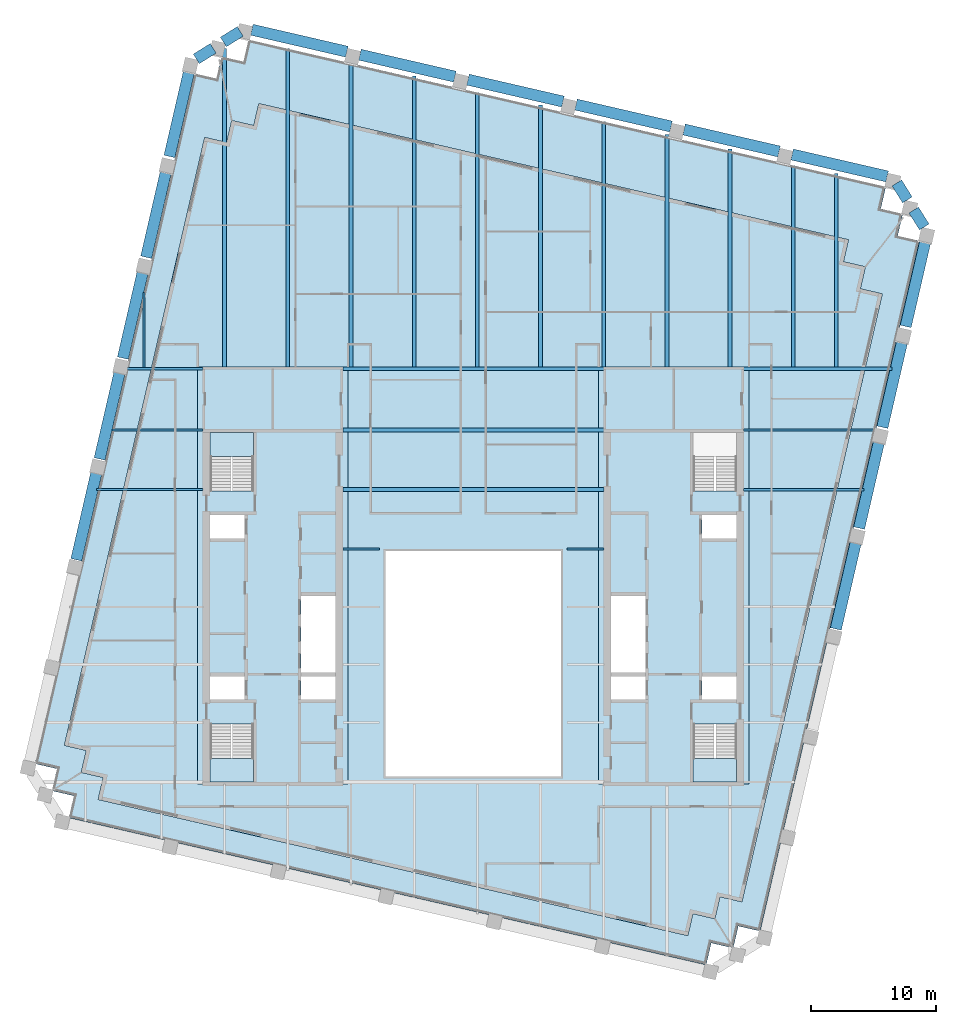
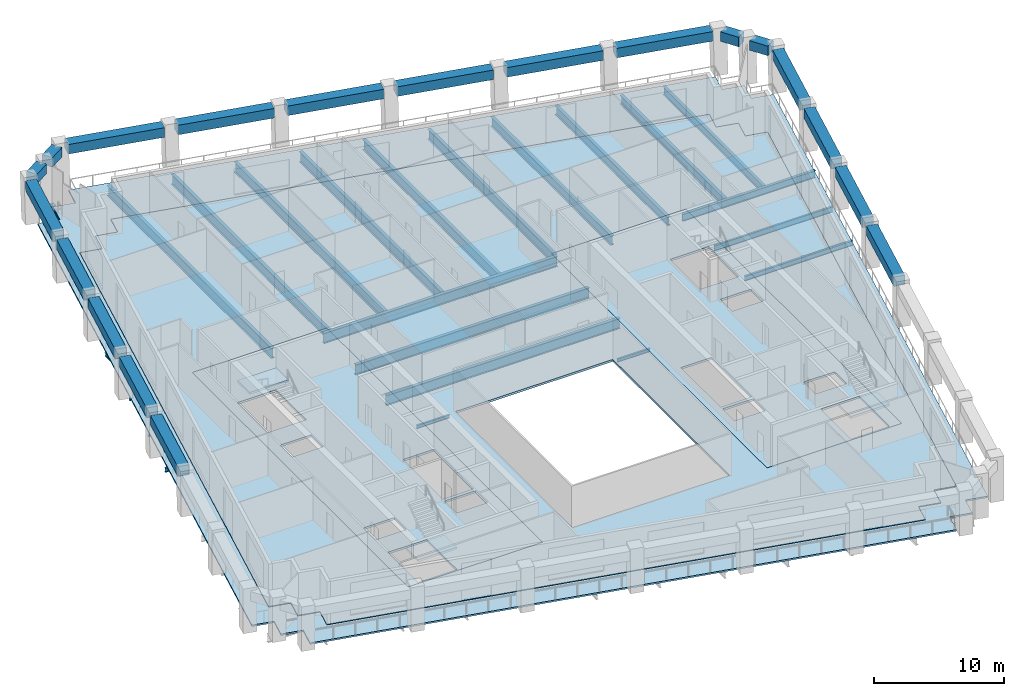
# One storey, part 2 of 10: 42 beams, 7 slabs, 3 elements without a shape of their own.
"""IFC4 building model written with IfcOpenShell, lengths in metres."""

from ifc_helpers import new_model, si_unit, direction, frame, origin, origin_2d, place, context, subcontext, project, spatial, polyline, rectangle, i_section, outline, extrude, material, layer, layer_set, material_profile, profile_set, type_object, element, aggregate, save


model = new_model("IFC4")

# Units and contexts
model_context = context("Model", 3, precision=1e-05, world=origin(), true_north=direction((0.0, 1.0)))
body_context = subcontext(model_context, "Body", "Model", "MODEL_VIEW")
ifc_project = project(units=[si_unit("LENGTHUNIT", "METRE"), si_unit("AREAUNIT", "SQUARE_METRE"), si_unit("VOLUMEUNIT", "CUBIC_METRE"), si_unit("PLANEANGLEUNIT", "RADIAN"), si_unit("MASSUNIT", "GRAM", prefix="KILO")], contexts=[model_context])

# Site, building, storey
site_placement = place(None, origin())
site = spatial("IfcSite", under=ifc_project, at=site_placement, CompositionType="ELEMENT")
building_placement = place(site_placement, origin())
building = spatial("IfcBuilding", under=site, at=building_placement, Name="Ogive Exchange Tower", CompositionType="ELEMENT")
storey_placement = place(building_placement, frame((0.0, 0.0, 268.199951171875)))
storey = spatial("IfcBuildingStorey", under=building, at=storey_placement, Name="L58", CompositionType="ELEMENT", Elevation=268.199951171875)

# Beams
ifc_material_1 = material(Name="Steel ASTM A992 Gr50", Category="steel")
ifc_material_profile_1 = material_profile(ifc_material_1, i_section(OverallWidth=0.300048828125, OverallDepth=0.969970703125, WebThickness=0.01611328125, FlangeThickness=0.02099609375, at=origin_2d()), Name="W1000x222")
ifc_profile_set_1 = profile_set([ifc_material_profile_1], Name="Steel ASTM A992 Gr50")
beam_type_1 = type_object("IfcBeamType", Name="Floor beam W1000x222", PredefinedType="JOIST", material=ifc_profile_set_1)
beam_1_placement = place(storey_placement, frame((10.404052734375, 30.695068359375, -0.68505859375), z_axis=(0.0, 1.0, 0.0), x_axis=(-1.0, 0.0, 0.0)))
element("IfcBeam", 1, at=beam_1_placement, inside=storey, type_object=beam_type_1, Name="Floor beam", PredefinedType="JOIST", context=body_context, shape_type="SweptSolid", body=[
    extrude(i_section(OverallWidth=0.300048828125, OverallDepth=0.969970703125, WebThickness=0.01611328125, FlangeThickness=0.02099609375, at=origin_2d()), origin(), (0.0, 0.0, 1.0), 19.56494140625),
])
ifc_material_profile_2 = material_profile(ifc_material_1, i_section(OverallWidth=0.300048828125, OverallDepth=0.97998046875, WebThickness=0.0166015625, FlangeThickness=0.026123046875, at=origin_2d()), Name="W1000x249")
ifc_profile_set_2 = profile_set([ifc_material_profile_2], Name="Steel ASTM A992 Gr50")
beam_type_2 = type_object("IfcBeamType", Name="Floor beam W1000x249", PredefinedType="JOIST", material=ifc_profile_set_2)
for number, where, z_axis, x_axis, name in (
    (2, (-10.419921875, 20.89990234375, -0.68994140625), (1.0, 0.0, 0.0), (0.0, 1.0, 0.0), "Floor beam"),
    (3, (-10.419921875, 25.64501953125, -0.68994140625), (1.0, 0.0, 0.0), (0.0, 1.0, 0.0), "Floor beam"),
):
    element("IfcBeam", number, at=place(storey_placement, frame(where, z_axis=z_axis, x_axis=x_axis)), inside=storey, type_object=beam_type_2, Name=name, PredefinedType="JOIST", context=body_context, shape_type="SweptSolid", body=[
        extrude(i_section(OverallWidth=0.300048828125, OverallDepth=0.97998046875, WebThickness=0.0166015625, FlangeThickness=0.026123046875, at=origin_2d()), origin(), (0.0, 0.0, 1.0), 20.83984375),
    ])
beam_2_placement = place(storey_placement, frame((-19.85107421875, 30.699951171875, -0.68994140625), z_axis=(0.0, 1.0, 0.0), x_axis=(-1.0, 0.0, 0.0)))
element("IfcBeam", 4, at=beam_2_placement, inside=storey, type_object=beam_type_2, Name="Floor beam", PredefinedType="JOIST", context=body_context, shape_type="SweptSolid", body=[
    extrude(i_section(OverallWidth=0.300048828125, OverallDepth=0.97998046875, WebThickness=0.0166015625, FlangeThickness=0.026123046875, at=origin_2d()), origin(), (0.0, 0.0, 1.0), 25.40576171875),
])
beam_3_placement = place(storey_placement, frame((-14.80859375, 30.699951171875, -0.68994140625), z_axis=(0.0, 1.0, 0.0), x_axis=(-1.0, 0.0, 0.0)))
element("IfcBeam", 5, at=beam_3_placement, inside=storey, type_object=beam_type_2, Name="Floor beam", PredefinedType="JOIST", context=body_context, shape_type="SweptSolid", body=[
    extrude(i_section(OverallWidth=0.300048828125, OverallDepth=0.97998046875, WebThickness=0.0166015625, FlangeThickness=0.026123046875, at=origin_2d()), origin(), (0.0, 0.0, 1.0), 25.380859375),
])
beam_4_placement = place(storey_placement, frame((-9.76611328125, 30.695068359375, -0.68994140625), z_axis=(0.0, 1.0, 0.0), x_axis=(-1.0, 0.0, 0.0)))
element("IfcBeam", 6, at=beam_4_placement, inside=storey, type_object=beam_type_2, Name="Floor beam", PredefinedType="JOIST", context=body_context, shape_type="SweptSolid", body=[
    extrude(i_section(OverallWidth=0.300048828125, OverallDepth=0.97998046875, WebThickness=0.0166015625, FlangeThickness=0.026123046875, at=origin_2d()), origin(), (0.0, 0.0, 1.0), 24.221435546875),
])
beam_5_placement = place(storey_placement, frame((-4.723388671875, 30.695068359375, -0.68994140625), z_axis=(0.0, 1.0, 0.0), x_axis=(-1.0, 0.0, 0.0)))
element("IfcBeam", 7, at=beam_5_placement, inside=storey, type_object=beam_type_2, Name="Floor beam", PredefinedType="JOIST", context=body_context, shape_type="SweptSolid", body=[
    extrude(i_section(OverallWidth=0.300048828125, OverallDepth=0.97998046875, WebThickness=0.0166015625, FlangeThickness=0.026123046875, at=origin_2d()), origin(), (0.0, 0.0, 1.0), 23.207275390625),
])
beam_6_placement = place(storey_placement, frame((0.319091796875, 30.695068359375, -0.68994140625), z_axis=(0.0, 1.0, 0.0), x_axis=(-1.0, 0.0, 0.0)))
element("IfcBeam", 8, at=beam_6_placement, inside=storey, type_object=beam_type_2, Name="Floor beam", PredefinedType="JOIST", context=body_context, shape_type="SweptSolid", body=[
    extrude(i_section(OverallWidth=0.300048828125, OverallDepth=0.97998046875, WebThickness=0.0166015625, FlangeThickness=0.026123046875, at=origin_2d()), origin(), (0.0, 0.0, 1.0), 21.893310546875),
])
beam_7_placement = place(storey_placement, frame((5.361572265625, 30.695068359375, -0.68994140625), z_axis=(0.0, 1.0, 0.0), x_axis=(-1.0, 0.0, 0.0)))
element("IfcBeam", 9, at=beam_7_placement, inside=storey, type_object=beam_type_2, Name="Floor beam", PredefinedType="JOIST", context=body_context, shape_type="SweptSolid", body=[
    extrude(i_section(OverallWidth=0.300048828125, OverallDepth=0.97998046875, WebThickness=0.0166015625, FlangeThickness=0.026123046875, at=origin_2d()), origin(), (0.0, 0.0, 1.0), 20.879150390625),
])
ifc_material_profile_3 = material_profile(ifc_material_1, i_section(OverallWidth=0.1650390625, OverallDepth=0.31005859375, WebThickness=0.005859375, FlangeThickness=0.009765625, at=origin_2d()), Name="W310x38.7")
ifc_profile_set_3 = profile_set([ifc_material_profile_3], Name="Steel ASTM A992 Gr50")
beam_type_3 = type_object("IfcBeamType", Name="Floor beam W310x38.7", PredefinedType="JOIST", material=ifc_profile_set_3)
beam_8_placement = place(storey_placement, frame((-26.293701171875, 30.630615234375, -0.35498046875), z_axis=(0.0, 1.0, 0.0), x_axis=(-1.0, 0.0, 0.0)))
element("IfcBeam", 10, at=beam_8_placement, inside=storey, type_object=beam_type_3, Name="Floor beam", PredefinedType="JOIST", context=body_context, shape_type="SweptSolid", body=[
    extrude(i_section(OverallWidth=0.1650390625, OverallDepth=0.31005859375, WebThickness=0.005859375, FlangeThickness=0.009765625, at=origin_2d()), origin(), (0.0, 0.0, 1.0), 6.007568359375),
])
ifc_material_profile_4 = material_profile(ifc_material_1, i_section(OverallWidth=0.1708984375, OverallDepth=0.35595703125, WebThickness=0.00732421875, FlangeThickness=0.01171875, at=origin_2d()), Name="W360x51")
ifc_profile_set_4 = profile_set([ifc_material_profile_4], Name="Steel ASTM A992 Gr50")
beam_type_4 = type_object("IfcBeamType", Name="Floor beam W360x51", PredefinedType="JOIST", material=ifc_profile_set_4)
beam_9_placement = place(storey_placement, frame((-28.831787109375, 25.64501953125, -0.3779296875), z_axis=(1.0, 0.0, 0.0), x_axis=(0.0, 1.0, 0.0)))
element("IfcBeam", 11, at=beam_9_placement, inside=storey, type_object=beam_type_4, Name="Floor beam", PredefinedType="JOIST", context=body_context, shape_type="SweptSolid", body=[
    extrude(i_section(OverallWidth=0.1708984375, OverallDepth=0.35595703125, WebThickness=0.00732421875, FlangeThickness=0.01171875, at=origin_2d()), origin(), (0.0, 0.0, 1.0), 7.251708984375),
])
ifc_material_profile_5 = material_profile(ifc_material_1, i_section(OverallWidth=0.177978515625, OverallDepth=0.406005859375, WebThickness=0.0078125, FlangeThickness=0.0126953125, at=origin_2d()), Name="W410x60")
ifc_profile_set_5 = profile_set([ifc_material_profile_5], Name="Steel ASTM A992 Gr50")
beam_type_5 = type_object("IfcBeamType", Name="Floor beam W410x60", PredefinedType="JOIST", material=ifc_profile_set_5)
beam_10_placement = place(storey_placement, frame((-30.0771484375, 20.89990234375, -0.40283203125), z_axis=(1.0, 0.0, 0.0), x_axis=(0.0, 1.0, 0.0)))
element("IfcBeam", 12, at=beam_10_placement, inside=storey, type_object=beam_type_5, Name="Floor beam", PredefinedType="JOIST", context=body_context, shape_type="SweptSolid", body=[
    extrude(i_section(OverallWidth=0.177978515625, OverallDepth=0.406005859375, WebThickness=0.0078125, FlangeThickness=0.0126953125, at=origin_2d()), origin(), (0.0, 0.0, 1.0), 8.4970703125),
])
ifc_material_profile_6 = material_profile(ifc_material_1, i_section(OverallWidth=0.19189453125, OverallDepth=0.4619140625, WebThickness=0.010498046875, FlangeThickness=0.017578125, at=origin_2d()), Name="W460x89")
ifc_profile_set_6 = profile_set([ifc_material_profile_6], Name="Steel ASTM A992 Gr50")
beam_type_6 = type_object("IfcBeamType", Name="Floor beam W460x89", PredefinedType="JOIST", material=ifc_profile_set_6)
beam_11_placement = place(storey_placement, frame((21.580078125, 20.89990234375, -0.430908203125), z_axis=(1.0, 0.0, 0.0), x_axis=(0.0, 1.0, 0.0)))
element("IfcBeam", 13, at=beam_11_placement, inside=storey, type_object=beam_type_6, Name="Floor beam", PredefinedType="JOIST", context=body_context, shape_type="SweptSolid", body=[
    extrude(i_section(OverallWidth=0.19189453125, OverallDepth=0.4619140625, WebThickness=0.010498046875, FlangeThickness=0.017578125, at=origin_2d()), origin(), (0.0, 0.0, 1.0), 9.605224609375),
])
ifc_material_profile_7 = material_profile(ifc_material_1, i_section(OverallWidth=0.1669921875, OverallDepth=0.535888671875, WebThickness=0.01025390625, FlangeThickness=0.0166015625, at=origin_2d()), Name="W530x85")
ifc_profile_set_7 = profile_set([ifc_material_profile_7], Name="Steel ASTM A992 Gr50")
beam_type_7 = type_object("IfcBeamType", Name="Floor beam W530x85", PredefinedType="JOIST", material=ifc_profile_set_7)
beam_12_placement = place(storey_placement, frame((21.580078125, 25.64501953125, -0.468017578125), z_axis=(1.0, 0.0, 0.0), x_axis=(0.0, 1.0, 0.0)))
element("IfcBeam", 14, at=beam_12_placement, inside=storey, type_object=beam_type_7, Name="Floor beam", PredefinedType="JOIST", context=body_context, shape_type="SweptSolid", body=[
    extrude(i_section(OverallWidth=0.1669921875, OverallDepth=0.535888671875, WebThickness=0.01025390625, FlangeThickness=0.0166015625, at=origin_2d()), origin(), (0.0, 0.0, 1.0), 10.55078125),
])
ifc_material_profile_8 = material_profile(ifc_material_1, i_section(OverallWidth=0.26708984375, OverallDepth=0.75390625, WebThickness=0.01318359375, FlangeThickness=0.01708984375, at=origin_2d()), Name="W760x147")
ifc_profile_set_8 = profile_set([ifc_material_profile_8], Name="Steel ASTM A992 Gr50")
beam_type_8 = type_object("IfcBeamType", Name="Floor beam W760x147", PredefinedType="JOIST", material=ifc_profile_set_8)
beam_13_placement = place(storey_placement, frame((28.97412109375, 30.672119140625, -0.576904296875), z_axis=(0.0, 1.0, 0.0), x_axis=(-1.0, 0.0, 0.0)))
element("IfcBeam", 15, at=beam_13_placement, inside=storey, type_object=beam_type_8, Name="Floor beam", PredefinedType="JOIST", context=body_context, shape_type="SweptSolid", body=[
    extrude(i_section(OverallWidth=0.26708984375, OverallDepth=0.75390625, WebThickness=0.01318359375, FlangeThickness=0.01708984375, at=origin_2d()), origin(), (0.0, 0.0, 1.0), 15.45068359375),
])
ifc_material_profile_9 = material_profile(ifc_material_1, i_section(OverallWidth=0.2919921875, OverallDepth=0.8359375, WebThickness=0.013916015625, FlangeThickness=0.018798828125, at=origin_2d()), Name="W840x176")
ifc_profile_set_9 = profile_set([ifc_material_profile_9], Name="Steel ASTM A992 Gr50")
beam_type_9 = type_object("IfcBeamType", Name="Floor beam W840x176", PredefinedType="JOIST", material=ifc_profile_set_9)
beam_14_placement = place(storey_placement, frame((20.4892578125, 30.699951171875, -0.617919921875), z_axis=(0.0, 1.0, 0.0), x_axis=(-1.0, 0.0, 0.0)))
element("IfcBeam", 16, at=beam_14_placement, inside=storey, type_object=beam_type_9, Name="Floor beam", PredefinedType="JOIST", context=body_context, shape_type="SweptSolid", body=[
    extrude(i_section(OverallWidth=0.2919921875, OverallDepth=0.8359375, WebThickness=0.013916015625, FlangeThickness=0.018798828125, at=origin_2d()), origin(), (0.0, 0.0, 1.0), 17.381591796875),
])
beam_15_placement = place(storey_placement, frame((25.53173828125, 30.672119140625, -0.617919921875), z_axis=(0.0, 1.0, 0.0), x_axis=(-1.0, 0.0, 0.0)))
element("IfcBeam", 17, at=beam_15_placement, inside=storey, type_object=beam_type_9, Name="Floor beam", PredefinedType="JOIST", context=body_context, shape_type="SweptSolid", body=[
    extrude(i_section(OverallWidth=0.2919921875, OverallDepth=0.8359375, WebThickness=0.013916015625, FlangeThickness=0.018798828125, at=origin_2d()), origin(), (0.0, 0.0, 1.0), 16.095458984375),
])
ifc_material_profile_10 = material_profile(ifc_material_1, i_section(OverallWidth=0.304931640625, OverallDepth=0.904052734375, WebThickness=0.01513671875, FlangeThickness=0.02001953125, at=origin_2d()), Name="W920x201")
ifc_profile_set_10 = profile_set([ifc_material_profile_10], Name="Steel ASTM A992 Gr50")
beam_type_10 = type_object("IfcBeamType", Name="Floor beam W920x201", PredefinedType="JOIST", material=ifc_profile_set_10)
beam_16_placement = place(storey_placement, frame((15.446533203125, 30.699951171875, -0.65185546875), z_axis=(0.0, 1.0, 0.0), x_axis=(-1.0, 0.0, 0.0)))
element("IfcBeam", 18, at=beam_16_placement, inside=storey, type_object=beam_type_10, Name="Floor beam", PredefinedType="JOIST", context=body_context, shape_type="SweptSolid", body=[
    extrude(i_section(OverallWidth=0.304931640625, OverallDepth=0.904052734375, WebThickness=0.01513671875, FlangeThickness=0.02001953125, at=origin_2d()), origin(), (0.0, 0.0, 1.0), 18.5458984375),
])
ifc_material_profile_11 = material_profile(ifc_material_1, i_section(OverallWidth=0.300048828125, OverallDepth=0.97998046875, WebThickness=0.0166015625, FlangeThickness=0.026123046875, at=origin_2d()), Name="W1000x249")
ifc_profile_set_11 = profile_set([ifc_material_profile_11], Name="Steel ASTM A992 Gr50")
beam_type_11 = type_object("IfcBeamType", Name="Girder W1000x249", PredefinedType="BEAM", material=ifc_profile_set_11)
beam_17_placement = place(storey_placement, frame((-10.419921875, 30.544921875, -0.68994140625), z_axis=(1.0, 0.0, 0.0), x_axis=(0.0, 1.0, 0.0)))
element("IfcBeam", 19, at=beam_17_placement, inside=storey, type_object=beam_type_11, Name="Header girder", PredefinedType="BEAM", context=body_context, shape_type="SweptSolid", body=[
    extrude(i_section(OverallWidth=0.300048828125, OverallDepth=0.97998046875, WebThickness=0.0166015625, FlangeThickness=0.026123046875, at=origin_2d()), origin(), (0.0, 0.0, 1.0), 20.83984375),
])
ifc_material_profile_12 = material_profile(ifc_material_1, i_section(OverallWidth=0.1650390625, OverallDepth=0.31005859375, WebThickness=0.005859375, FlangeThickness=0.009765625, at=origin_2d()), Name="W310x38.7")
ifc_profile_set_12 = profile_set([ifc_material_profile_12], Name="Steel ASTM A992 Gr50")
beam_type_12 = type_object("IfcBeamType", Name="Girder W310x38.7", PredefinedType="BEAM", material=ifc_profile_set_12)
for number, where, z_axis, x_axis, name in (
    (20, (-10.419921875, 16.155029296875, -0.35498046875), (1.0, 0.0, 0.0), (0.0, 1.0, 0.0), "Trimmer girder"),
    (21, (7.469970703125, 16.155029296875, -0.35498046875), (1.0, 0.0, 0.0), (0.0, 1.0, 0.0), "Trimmer girder"),
):
    element("IfcBeam", number, at=place(storey_placement, frame(where, z_axis=z_axis, x_axis=x_axis)), inside=storey, type_object=beam_type_12, Name=name, PredefinedType="BEAM", context=body_context, shape_type="SweptSolid", body=[
        extrude(i_section(OverallWidth=0.1650390625, OverallDepth=0.31005859375, WebThickness=0.005859375, FlangeThickness=0.009765625, at=origin_2d()), origin(), (0.0, 0.0, 1.0), 2.949951171875),
    ])
ifc_material_profile_13 = material_profile(ifc_material_1, i_section(OverallWidth=0.1708984375, OverallDepth=0.35595703125, WebThickness=0.00732421875, FlangeThickness=0.01171875, at=origin_2d()), Name="W360x51")
ifc_profile_set_13 = profile_set([ifc_material_profile_13], Name="Steel ASTM A992 Gr50")
beam_type_13 = type_object("IfcBeamType", Name="Girder W360x51", PredefinedType="BEAM", material=ifc_profile_set_13)
beam_18_placement = place(storey_placement, frame((-27.700439453125, 30.544921875, -0.3779296875), z_axis=(1.0, 0.0, 0.0), x_axis=(0.0, 1.0, 0.0)))
element("IfcBeam", 22, at=beam_18_placement, inside=storey, type_object=beam_type_13, Name="Header girder", PredefinedType="BEAM", context=body_context, shape_type="SweptSolid", body=[
    extrude(i_section(OverallWidth=0.1708984375, OverallDepth=0.35595703125, WebThickness=0.00732421875, FlangeThickness=0.01171875, at=origin_2d()), origin(), (0.0, 0.0, 1.0), 6.120361328125),
])
ifc_material_profile_14 = material_profile(ifc_material_1, i_section(OverallWidth=0.25390625, OverallDepth=0.677978515625, WebThickness=0.01171875, FlangeThickness=0.016357421875, at=origin_2d()), Name="W690x125")
ifc_profile_set_14 = profile_set([ifc_material_profile_14], Name="Steel ASTM A992 Gr50")
beam_type_14 = type_object("IfcBeamType", Name="Girder W690x125", PredefinedType="BEAM", material=ifc_profile_set_14)
beam_19_placement = place(storey_placement, frame((21.580078125, 30.544921875, -0.5390625), z_axis=(1.0, 0.0, 0.0), x_axis=(0.0, 1.0, 0.0)))
element("IfcBeam", 23, at=beam_19_placement, inside=storey, type_object=beam_type_14, Name="Header girder", PredefinedType="BEAM", context=body_context, shape_type="SweptSolid", body=[
    extrude(i_section(OverallWidth=0.25390625, OverallDepth=0.677978515625, WebThickness=0.01171875, FlangeThickness=0.016357421875, at=origin_2d()), origin(), (0.0, 0.0, 1.0), 11.83203125),
])
ifc_material_2 = material(Name="Precast concrete C70/85 (limestone faced)", Category="masonry")
ifc_material_profile_15 = material_profile(ifc_material_2, rectangle(XDim=0.89990234375, YDim=0.89990234375, at=origin_2d()), Name="900 x 900")
ifc_profile_set_15 = profile_set([ifc_material_profile_15], Name="Precast concrete C70/85 (limestone faced)")
beam_type_15 = type_object("IfcBeamType", Name="Precast spandrel 900 x 900 C70/85", PredefinedType="SPANDREL", material=ifc_profile_set_15)
beam_20_placement = place(storey_placement, frame((28.929443359375, 9.778076171875, 3.5), z_axis=(0.224958568294, 0.974368330023, 0.0), x_axis=(-0.974368330023, 0.224958568294, 0.0)))
element("IfcBeam", 24, at=beam_20_placement, inside=storey, type_object=beam_type_15, Name="Spandrel 12", PredefinedType="SPANDREL", context=body_context, shape_type="SweptSolid", body=[
    extrude(rectangle(XDim=0.89990234375, YDim=0.89990234375, at=origin_2d()), origin(), (0.0, 0.0, 1.0), 7.19970703125),
])
for number, where, z_axis, x_axis, name in (
    (25, (30.78759765625, 17.825927734375, 3.5), (0.224918942425, 0.974377477849, 0.0), (-0.974377477849, 0.224918942425, 0.0), "Spandrel 13"),
    (26, (32.6455078125, 25.8740234375, 3.5), (0.224951135728, 0.974370045996, 0.0), (-0.974370045996, 0.224951135728, 0.0), "Spandrel 14"),
):
    element("IfcBeam", number, at=place(storey_placement, frame(where, z_axis=z_axis, x_axis=x_axis)), inside=storey, type_object=beam_type_15, Name=name, PredefinedType="SPANDREL", context=body_context, shape_type="SweptSolid", body=[
        extrude(rectangle(XDim=0.89990234375, YDim=0.89990234375, at=origin_2d()), origin(), (0.0, 0.0, 1.0), 7.199951171875),
    ])
beam_21_placement = place(storey_placement, frame((34.50341796875, 33.922119140625, 3.5), z_axis=(0.224958568294, 0.974368330023, 0.0), x_axis=(-0.974368330023, 0.224958568294, 0.0)))
element("IfcBeam", 27, at=beam_21_placement, inside=storey, type_object=beam_type_15, Name="Spandrel 15", PredefinedType="SPANDREL", context=body_context, shape_type="SweptSolid", body=[
    extrude(rectangle(XDim=0.89990234375, YDim=0.89990234375, at=origin_2d()), origin(), (0.0, 0.0, 1.0), 7.19970703125),
])
for number, where, z_axis, x_axis, name in (
    (28, (35.989013671875, 41.85888671875, 3.5), (-0.529902320601, 0.848058683477, 0.0), (-0.848058683477, -0.529902320601, 0.0), "Spandrel 16"),
    (29, (34.64013671875, 44.017578125, 3.5), (-0.529833324099, 0.848101791458, 0.0), (-0.848101791458, -0.529833324099, 0.0), "Spandrel 17"),
):
    element("IfcBeam", number, at=place(storey_placement, frame(where, z_axis=z_axis, x_axis=x_axis)), inside=storey, type_object=beam_type_15, Name=name, PredefinedType="SPANDREL", context=body_context, shape_type="SweptSolid", body=[
        extrude(rectangle(XDim=0.89990234375, YDim=0.89990234375, at=origin_2d()), origin(), (0.0, 0.0, 1.0), 1.590087890625),
    ])
for number, where, z_axis, x_axis, name in (
    (30, (33.028076171875, 45.890380859375, 3.5), (-0.974367949416, 0.224960216819, 0.0), (-0.224960216819, -0.974367949416, 0.0), "Spandrel 18"),
    (31, (24.40478515625, 47.88134765625, 3.5), (-0.974367949416, 0.224960216819, 0.0), (-0.224960216819, -0.974367949416, 0.0), "Spandrel 19"),
    (32, (15.78173828125, 49.8720703125, 3.5), (-0.974367949416, 0.224960216819, 0.0), (-0.224960216819, -0.974367949416, 0.0), "Spandrel 20"),
    (33, (7.158447265625, 51.863037109375, 3.5), (-0.974374818602, 0.224930462307, 0.0), (-0.224930462307, -0.974374818602, 0.0), "Spandrel 21"),
    (34, (-1.464599609375, 53.853759765625, 3.5), (-0.974367949416, 0.224960216819, 0.0), (-0.224960216819, -0.974367949416, 0.0), "Spandrel 22"),
    (35, (-10.087890625, 55.844482421875, 3.5), (-0.974367949416, 0.224960216819, 0.0), (-0.224960216819, -0.974367949416, 0.0), "Spandrel 23"),
):
    element("IfcBeam", number, at=place(storey_placement, frame(where, z_axis=z_axis, x_axis=x_axis)), inside=storey, type_object=beam_type_15, Name=name, PredefinedType="SPANDREL", context=body_context, shape_type="SweptSolid", body=[
        extrude(rectangle(XDim=0.89990234375, YDim=0.89990234375, at=origin_2d()), origin(), (0.0, 0.0, 1.0), 7.7900390625),
    ])
for number, where, z_axis, x_axis, name in (
    (36, (-18.599853515625, 57.462890625, 3.5), (-0.848058683477, -0.529902320601, 0.0), (0.529902320601, -0.848058683477, 0.0), "Spandrel 24"),
    (37, (-20.758544921875, 56.114013671875, 3.5), (-0.848058683477, -0.529902320601, 0.0), (0.529902320601, -0.848058683477, 0.0), "Spandrel 25"),
):
    element("IfcBeam", number, at=place(storey_placement, frame(where, z_axis=z_axis, x_axis=x_axis)), inside=storey, type_object=beam_type_15, Name=name, PredefinedType="SPANDREL", context=body_context, shape_type="SweptSolid", body=[
        extrude(rectangle(XDim=0.89990234375, YDim=0.89990234375, at=origin_2d()), origin(), (0.0, 0.0, 1.0), 1.590087890625),
    ])
beam_22_placement = place(storey_placement, frame((-22.63134765625, 54.501953125, 3.5), z_axis=(-0.224951135728, -0.974370045996, 0.0), x_axis=(0.974370045996, -0.224951135728, 0.0)))
element("IfcBeam", 38, at=beam_22_placement, inside=storey, type_object=beam_type_15, Name="Spandrel 26", PredefinedType="SPANDREL", context=body_context, shape_type="SweptSolid", body=[
    extrude(rectangle(XDim=0.89990234375, YDim=0.89990234375, at=origin_2d()), origin(), (0.0, 0.0, 1.0), 7.199951171875),
])
for number, where, z_axis, x_axis, name in (
    (39, (-24.489501953125, 46.453857421875, 3.5), (-0.224926374041, -0.974375762353, 0.0), (0.974375762353, -0.224926374041, 0.0), "Spandrel 27"),
    (40, (-26.347412109375, 38.40576171875, 3.5), (-0.224958568294, -0.974368330023, 0.0), (0.974368330023, -0.224958568294, 0.0), "Spandrel 28"),
    (41, (-28.20556640625, 30.357666015625, 3.5), (-0.224958568294, -0.974368330023, 0.0), (0.974368330023, -0.224958568294, 0.0), "Spandrel 29"),
):
    element("IfcBeam", number, at=place(storey_placement, frame(where, z_axis=z_axis, x_axis=x_axis)), inside=storey, type_object=beam_type_15, Name=name, PredefinedType="SPANDREL", context=body_context, shape_type="SweptSolid", body=[
        extrude(rectangle(XDim=0.89990234375, YDim=0.89990234375, at=origin_2d()), origin(), (0.0, 0.0, 1.0), 7.19970703125),
    ])
beam_23_placement = place(storey_placement, frame((-30.0634765625, 22.309814453125, 3.5), z_axis=(-0.224951135728, -0.974370045996, 0.0), x_axis=(0.974370045996, -0.224951135728, 0.0)))
element("IfcBeam", 42, at=beam_23_placement, inside=storey, type_object=beam_type_15, Name="Spandrel 30", PredefinedType="SPANDREL", context=body_context, shape_type="SweptSolid", body=[
    extrude(rectangle(XDim=0.89990234375, YDim=0.89990234375, at=origin_2d()), origin(), (0.0, 0.0, 1.0), 7.199951171875),
])

# Slabs
ifc_material_3 = material(Name="Concrete C50/60", Category="concrete")
ifc_layer_1 = layer(ifc_material_3, 0.199951171875)
ifc_layer_set_1 = layer_set([ifc_layer_1], Name="Composite floor slab 200")
slab_type_1 = type_object("IfcSlabType", Name="Composite floor slab 200", PredefinedType="FLOOR", material=ifc_layer_set_1)
slab_1_placement = place(storey_placement, frame((0.0, 0.0, -0.199951171875)))
element("IfcSlab", 43, at=slab_1_placement, inside=storey, type_object=slab_type_1, Name="Composite floor slab", PredefinedType="FLOOR", context=body_context, shape_type="SweptSolid", body=[
    extrude(outline(polyline([(-29.537109375, -2.0830078125), (-31.291015625, -1.67822265625), (-30.88623046875, 0.07568359375), (-32.64013671875, 0.480712890625), (-21.4375, 49.004150390625), (-19.68359375, 48.599365234375), (-19.27880859375, 50.353271484375), (-17.52490234375, 49.9482421875), (-17.119873046875, 51.7021484375), (29.942138671875, 40.8369140625), (29.537109375, 39.0830078125), (31.291015625, 38.67822265625), (30.88623046875, 36.92431640625), (32.64013671875, 36.519287109375), (21.4375, -12.004150390625), (19.68359375, -11.599365234375), (19.27880859375, -13.353271484375), (17.52490234375, -12.9482421875), (17.119873046875, -14.7021484375), (-29.942138671875, -3.8369140625), (-29.537109375, -2.0830078125)]), holes=[polyline([(7.0, -2.0), (7.0, 16.0), (-7.0, 16.0), (-7.0, -2.0), (7.0, -2.0)]), polyline([(-22.0, -2.60009765625), (-10.0, -2.60009765625), (-10.0, 30.699951171875), (-22.0, 30.699951171875), (-22.0, -2.60009765625)]), polyline([(10.0, -2.60009765625), (22.0, -2.60009765625), (22.0, 30.699951171875), (10.0, 30.699951171875), (10.0, -2.60009765625)])]), origin(), (0.0, 0.0, 1.0), 0.199951171875),
])
ifc_material_4 = material(Name="Concrete C70/85", Category="concrete")
ifc_layer_2 = layer(ifc_material_4, 0.199951171875)
ifc_layer_set_2 = layer_set([ifc_layer_2], Name="Core floor slab 200")
slab_type_2 = type_object("IfcSlabType", Name="Core floor slab 200", PredefinedType="FLOOR", material=ifc_layer_set_2)
slab_2_placement = place(storey_placement, frame((0.0, 0.0, -0.199951171875)))
element("IfcSlab", 44, at=slab_2_placement, inside=storey, type_object=slab_type_2, Name="Core floor slab", PredefinedType="FLOOR", context=body_context, shape_type="SweptSolid", body=[
    extrude(outline(polyline([(-22.0, -2.60009765625), (-22.0, 30.699951171875), (-10.0, 30.699951171875), (-10.0, -2.60009765625), (-22.0, -2.60009765625)]), holes=[polyline([(-17.550048828125, 2.196044921875), (-21.0, 2.196044921875), (-21.0, -2.449951171875), (-17.550048828125, -2.449951171875), (-17.550048828125, 2.196044921875)]), polyline([(-18.25, 5.992919921875), (-21.0, 5.992919921875), (-21.0, 4.14990234375), (-18.25, 4.14990234375), (-18.25, 5.992919921875)]), polyline([(-11.0, 5.992919921875), (-13.75, 5.992919921875), (-13.75, 4.14990234375), (-11.0, 4.14990234375), (-11.0, 5.992919921875)]), polyline([(-13.75, 12.42138671875), (-13.75, 6.29296875), (-11.0, 6.29296875), (-11.0, 12.42138671875), (-13.75, 12.42138671875)]), polyline([(-18.25, 18.85009765625), (-21.0, 18.85009765625), (-21.0, 17.007080078125), (-18.25, 17.007080078125), (-18.25, 18.85009765625)]), polyline([(-21.0, 25.449951171875), (-21.0, 20.803955078125), (-17.550048828125, 20.803955078125), (-17.550048828125, 25.449951171875), (-21.0, 25.449951171875)])]), origin(), (0.0, 0.0, 1.0), 0.199951171875),
])
slab_3_placement = place(storey_placement, frame((0.0, 0.0, -0.199951171875)))
element("IfcSlab", 45, at=slab_3_placement, inside=storey, type_object=slab_type_2, Name="Core floor slab", PredefinedType="FLOOR", context=body_context, shape_type="SweptSolid", body=[
    extrude(outline(polyline([(10.0, -2.60009765625), (10.0, 30.699951171875), (22.0, 30.699951171875), (22.0, -2.60009765625), (10.0, -2.60009765625)]), holes=[polyline([(21.0, 2.196044921875), (17.550048828125, 2.196044921875), (17.550048828125, -2.449951171875), (21.0, -2.449951171875), (21.0, 2.196044921875)]), polyline([(13.75, 5.992919921875), (11.0, 5.992919921875), (11.0, 4.14990234375), (13.75, 4.14990234375), (13.75, 5.992919921875)]), polyline([(21.0, 5.992919921875), (18.25, 5.992919921875), (18.25, 4.14990234375), (21.0, 4.14990234375), (21.0, 5.992919921875)]), polyline([(11.0, 12.42138671875), (11.0, 6.29296875), (13.75, 6.29296875), (13.75, 12.42138671875), (11.0, 12.42138671875)]), polyline([(21.0, 18.85009765625), (18.25, 18.85009765625), (18.25, 17.007080078125), (21.0, 17.007080078125), (21.0, 18.85009765625)]), polyline([(17.550048828125, 25.449951171875), (17.550048828125, 20.803955078125), (21.0, 20.803955078125), (21.0, 25.449951171875), (17.550048828125, 25.449951171875)])]), origin(), (0.0, 0.0, 1.0), 0.199951171875),
])
ifc_layer_3 = layer(ifc_material_3, 0.14990234375)
ifc_layer_set_3 = layer_set([ifc_layer_3], Name="Loggia deck 150")
slab_type_3 = type_object("IfcSlabType", Name="Loggia deck 150", PredefinedType="FLOOR", material=ifc_layer_set_3)
slab_4_placement = place(storey_placement, frame((0.0, 0.0, -0.199951171875)))
element("IfcSlab", 46, at=slab_4_placement, inside=storey, type_object=slab_type_3, Name="Loggia deck", PredefinedType="FLOOR", context=body_context, shape_type="SweptSolid", body=[
    extrude(outline(polyline([(-31.8759765625, -3.54443359375), (-33.6298828125, -3.1396484375), (-33.224853515625, -1.3857421875), (-34.978759765625, -0.980712890625), (-22.2607421875, 54.106689453125), (-20.5068359375, 53.70166015625), (-20.10205078125, 55.45556640625), (-18.34814453125, 55.050537109375), (-17.943359375, 56.804443359375), (32.9189453125, 45.06201171875), (32.513916015625, 43.30810546875), (34.267822265625, 42.9033203125), (33.86279296875, 41.1494140625), (35.61669921875, 40.744384765625), (22.89892578125, -14.343017578125), (21.14501953125, -13.93798828125), (20.739990234375, -15.69189453125), (18.986083984375, -15.286865234375), (18.581298828125, -17.040771484375), (-32.28076171875, -5.29833984375), (-31.8759765625, -3.54443359375)]), holes=[polyline([(17.52490234375, -12.9482421875), (19.27880859375, -13.353271484375), (19.68359375, -11.599365234375), (21.4375, -12.004150390625), (32.64013671875, 36.519287109375), (30.88623046875, 36.92431640625), (31.291015625, 38.67822265625), (29.537109375, 39.0830078125), (29.942138671875, 40.8369140625), (-17.119873046875, 51.7021484375), (-17.52490234375, 49.9482421875), (-19.27880859375, 50.353271484375), (-19.68359375, 48.599365234375), (-21.4375, 49.004150390625), (-32.64013671875, 0.480712890625), (-30.88623046875, 0.07568359375), (-31.291015625, -1.67822265625), (-29.537109375, -2.0830078125), (-29.942138671875, -3.8369140625), (17.119873046875, -14.7021484375), (17.52490234375, -12.9482421875)])]), origin(), (0.0, 0.0, 1.0), 0.14990234375),
])

# Stair, slab
ifc_material_5 = material(Name="Concrete C40/50", Category="concrete")
stair_type = type_object("IfcStairType", Name="Exit stair 1650 wide", PredefinedType="HALF_TURN_STAIR", material=ifc_material_5)
stair_1_placement = place(storey_placement, origin())
stair_1 = element("IfcStair", 47, at=stair_1_placement, inside=storey, type_object=stair_type, Name="L58 exit stair ST1", PredefinedType="HALF_TURN_STAIR")
ifc_layer_4 = layer(ifc_material_5, 0.199951171875)
ifc_layer_set_4 = layer_set([ifc_layer_4], Name="Stair landing 200 slab")
slab_type_4 = type_object("IfcSlabType", Name="Stair landing 200 slab", PredefinedType="LANDING", material=ifc_layer_set_4)
slab_5_placement = place(storey_placement, frame((0.0, 0.0, 1.900146484375)))
slab_5 = element("IfcSlab", 48, at=slab_5_placement, type_object=slab_type_4, Name="ST1 landing 1", PredefinedType="LANDING", context=body_context, shape_type="SweptSolid", body=[
    extrude(outline(polyline([(-21.0, -0.550048828125), (-21.0, -2.449951171875), (-17.550048828125, -2.449951171875), (-17.550048828125, -0.550048828125), (-21.0, -0.550048828125)])), origin(), (0.0, 0.0, 1.0), 0.199951171875),
])
aggregate(stair_1, [slab_5])

stair_2_placement = place(storey_placement, origin())
stair_2 = element("IfcStair", 49, at=stair_2_placement, inside=storey, type_object=stair_type, Name="L58 exit stair ST2", PredefinedType="HALF_TURN_STAIR")
slab_6_placement = place(storey_placement, frame((0.0, 0.0, 1.900146484375)))
slab_6 = element("IfcSlab", 50, at=slab_6_placement, type_object=slab_type_4, Name="ST2 landing 1", PredefinedType="LANDING", context=body_context, shape_type="SweptSolid", body=[
    extrude(outline(polyline([(-17.550048828125, 23.550048828125), (-17.550048828125, 25.449951171875), (-21.0, 25.449951171875), (-21.0, 23.550048828125), (-17.550048828125, 23.550048828125)])), origin(), (0.0, 0.0, 1.0), 0.199951171875),
])
aggregate(stair_2, [slab_6])

stair_3_placement = place(storey_placement, origin())
stair_3 = element("IfcStair", 51, at=stair_3_placement, inside=storey, type_object=stair_type, Name="L58 exit stair ST3", PredefinedType="HALF_TURN_STAIR")
slab_7_placement = place(storey_placement, frame((0.0, 0.0, 1.900146484375)))
slab_7 = element("IfcSlab", 52, at=slab_7_placement, type_object=slab_type_4, Name="ST3 landing 1", PredefinedType="LANDING", context=body_context, shape_type="SweptSolid", body=[
    extrude(outline(polyline([(17.550048828125, -0.550048828125), (17.550048828125, -2.449951171875), (21.0, -2.449951171875), (21.0, -0.550048828125), (17.550048828125, -0.550048828125)])), origin(), (0.0, 0.0, 1.0), 0.199951171875),
])
aggregate(stair_3, [slab_7])

save(model, "model.ifc")
